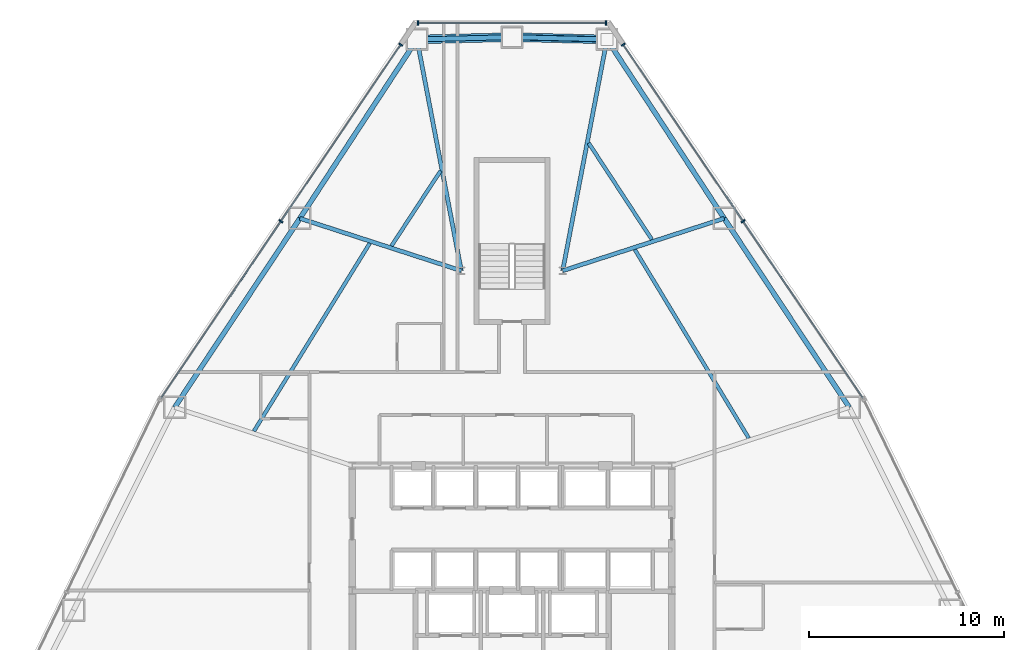
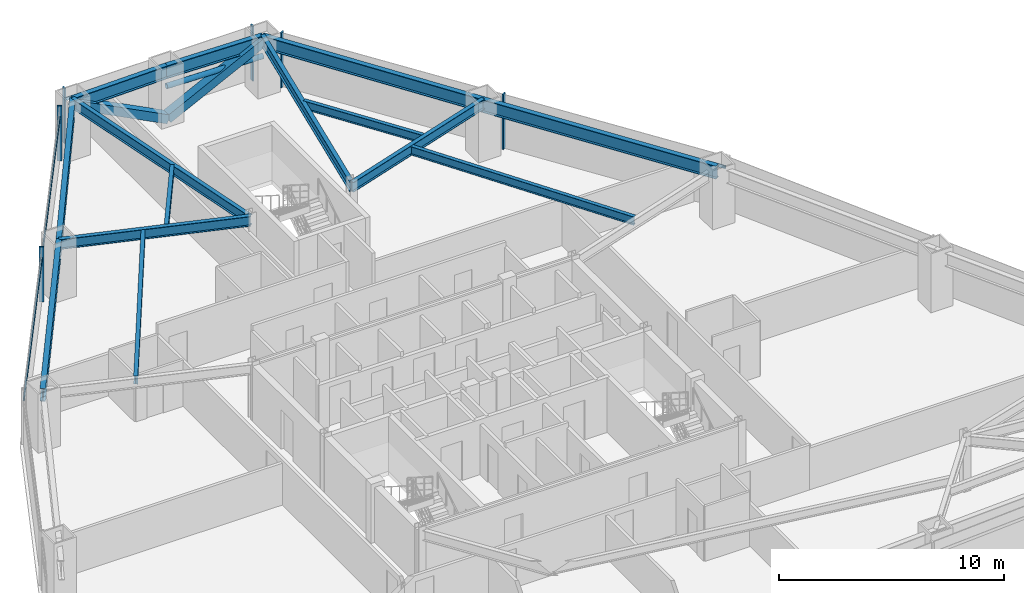
# One storey, part 7 of 12: 14 beams, 12 members, 3 elements without a shape of their own.
"""IFC4 building model written with IfcOpenShell, lengths in metres."""

from ifc_helpers import new_model, si_unit, direction, frame, origin, origin_2d, place, context, subcontext, project, spatial, rectangle, hollow_rectangle, hollow_circle, i_section, extrude, source, transform, mapped, material, layer, layer_set, material_profile, profile_set, type_object, type_shapes, element, aggregate, save


model = new_model("IFC4")

# Units and contexts
model_context = context("Model", 3, precision=1e-05, world=origin(), true_north=direction((0.0, 1.0)))
body_context = subcontext(model_context, "Body", "Model", "MODEL_VIEW")
ifc_project = project(units=[si_unit("LENGTHUNIT", "METRE"), si_unit("AREAUNIT", "SQUARE_METRE"), si_unit("VOLUMEUNIT", "CUBIC_METRE"), si_unit("PLANEANGLEUNIT", "RADIAN"), si_unit("MASSUNIT", "GRAM", prefix="KILO")], contexts=[model_context])

# Site, building, storey
site_placement = place(None, origin())
site = spatial("IfcSite", under=ifc_project, at=site_placement, CompositionType="ELEMENT")
building_placement = place(site_placement, origin())
building = spatial("IfcBuilding", under=site, at=building_placement, Name="Varakhsha Concourse Tower", CompositionType="ELEMENT")
storey_placement = place(building_placement, frame((0.0, 0.0, 56.0)))
storey = spatial("IfcBuildingStorey", under=building, at=storey_placement, Name="L15", CompositionType="ELEMENT", Elevation=56.0)

# Beams
ifc_material_1 = material(Name="Structural Steel ASTM A992 Grade 50", Category="steel")
ifc_material_profile_1 = material_profile(ifc_material_1, i_section(OverallWidth=0.19091796875, OverallDepth=0.45703125, WebThickness=0.009033203125, FlangeThickness=0.013916015625, at=origin_2d()), Name="W18X50")
ifc_profile_set_1 = profile_set([ifc_material_profile_1], Name="Structural Steel ASTM A992 Grade 50")
beam_type_1 = type_object("IfcBeamType", Name="BM-JST-W18X50", PredefinedType="JOIST", material=ifc_profile_set_1)
beam_1_placement = place(storey_placement, frame((36.339111328125, 46.32958984375, 2.75146484375), z_axis=(-0.547760334165, -0.836635294687, 0.0), x_axis=(0.836635294687, -0.547760334165, 0.0)))
element("IfcBeam", 1, at=beam_1_placement, inside=storey, type_object=beam_type_1, Name="BM-TJST-L15-03", PredefinedType="JOIST", context=body_context, shape_type="SweptSolid", body=[
    extrude(i_section(OverallWidth=0.19091796875, OverallDepth=0.45703125, WebThickness=0.009033203125, FlangeThickness=0.013916015625, at=origin_2d()), origin(), (0.0, 0.0, 1.0), 4.607666015625),
])
beam_2_placement = place(storey_placement, frame((32.703125, 42.611328125, 2.75146484375), z_axis=(-0.524765861285, -0.851246609878, 0.0), x_axis=(0.851246609878, -0.524765861285, 0.0)))
element("IfcBeam", 2, at=beam_2_placement, inside=storey, type_object=beam_type_1, Name="BM-TJST-L15-04", PredefinedType="JOIST", context=body_context, shape_type="SweptSolid", body=[
    extrude(i_section(OverallWidth=0.19091796875, OverallDepth=0.45703125, WebThickness=0.009033203125, FlangeThickness=0.013916015625, at=origin_2d()), origin(), (0.0, 0.0, 1.0), 11.32763671875),
])
beam_3_placement = place(storey_placement, frame((52.1494140625, 32.6103515625, 2.75146484375), z_axis=(-0.51713508233, 0.855903795192, 0.0), x_axis=(-0.855903795192, -0.51713508233, 0.0)))
element("IfcBeam", 3, at=beam_3_placement, inside=storey, type_object=beam_type_1, Name="BM-TJST-L15-17", PredefinedType="JOIST", context=body_context, shape_type="SweptSolid", body=[
    extrude(i_section(OverallWidth=0.19091796875, OverallDepth=0.45703125, WebThickness=0.009033203125, FlangeThickness=0.013916015625, at=origin_2d()), origin(), (0.0, 0.0, 1.0), 11.307373046875),
])
beam_4_placement = place(storey_placement, frame((47.1787109375, 42.797119140625, 2.75146484375), z_axis=(-0.547710053226, 0.836668212373, 0.0), x_axis=(-0.836668212373, -0.547710053226, 0.0)))
element("IfcBeam", 4, at=beam_4_placement, inside=storey, type_object=beam_type_1, Name="BM-TJST-L15-18", PredefinedType="JOIST", context=body_context, shape_type="SweptSolid", body=[
    extrude(i_section(OverallWidth=0.19091796875, OverallDepth=0.45703125, WebThickness=0.009033203125, FlangeThickness=0.013916015625, at=origin_2d()), origin(), (0.0, 0.0, 1.0), 5.92431640625),
])
ifc_material_profile_2 = material_profile(ifc_material_1, i_section(OverallWidth=0.2109375, OverallDepth=0.5390625, WebThickness=0.011962890625, FlangeThickness=0.01904296875, at=origin_2d()), Name="W21X73")
ifc_profile_set_2 = profile_set([ifc_material_profile_2], Name="Structural Steel ASTM A992 Grade 50")
beam_type_2 = type_object("IfcBeamType", Name="BM-RAD-W21X73", PredefinedType="BEAM", material=ifc_profile_set_2)
for number, where, z_axis, x_axis, name in (
    (5, (42.60009765625, 41.199951171875, 2.71044921875), (0.188222379663, 0.982126435747, 0.0), (-0.982126435747, 0.188222379663, 0.0), "L15 Radial Floor Girder 01"),
    (6, (37.39990234375, 41.199951171875, 2.71044921875), (-0.188222379663, 0.982126435747, 0.0), (-0.982126435747, -0.188222379663, 0.0), "L15 Radial Floor Girder 03"),
):
    element("IfcBeam", number, at=place(storey_placement, frame(where, z_axis=z_axis, x_axis=x_axis)), inside=storey, type_object=beam_type_2, Name=name, PredefinedType="BEAM", context=body_context, shape_type="SweptSolid", body=[
        extrude(i_section(OverallWidth=0.2109375, OverallDepth=0.5390625, WebThickness=0.011962890625, FlangeThickness=0.01904296875, at=origin_2d()), origin(), (0.0, 0.0, 1.0), 12.083740234375),
    ])
for number, where, z_axis, x_axis, name in (
    (7, (37.39990234375, 41.199951171875, 2.71044921875), (-0.951195245135, 0.308589704354, 0.0), (-0.308589704354, -0.951195245135, 0.0), "L15 Radial Floor Girder 04"),
    (8, (42.60009765625, 41.199951171875, 2.71044921875), (0.951195245135, 0.308589704354, 0.0), (-0.308589704354, 0.951195245135, 0.0), "L15 Radial Floor Girder 18"),
):
    element("IfcBeam", number, at=place(storey_placement, frame(where, z_axis=z_axis, x_axis=x_axis)), inside=storey, type_object=beam_type_2, Name=name, PredefinedType="BEAM", context=body_context, shape_type="SweptSolid", body=[
        extrude(i_section(OverallWidth=0.2109375, OverallDepth=0.5390625, WebThickness=0.011962890625, FlangeThickness=0.01904296875, at=origin_2d()), origin(), (0.0, 0.0, 1.0), 8.708984375),
    ])
ifc_material_profile_3 = material_profile(ifc_material_1, i_section(OverallWidth=0.25390625, OverallDepth=0.701904296875, WebThickness=0.014892578125, FlangeThickness=0.028076171875, at=origin_2d()), Name="W27X129")
ifc_profile_set_3 = profile_set([ifc_material_profile_3], Name="Structural Steel ASTM A992 Grade 50")
beam_type_3 = type_object("IfcBeamType", Name="BM-SPAN-W27X129", PredefinedType="SPANDREL", material=ifc_profile_set_3)
for number, where, z_axis, x_axis, name in (
    (9, (44.87451171875, 53.067626953125, 2.62890625), (-0.999707523102, 0.024184049567, 0.0), (-0.024184049567, -0.999707523102, 0.0), "BM-SPAN-L15-01"),
    (10, (40.0, 53.185546875, 2.62890625), (-0.999707523102, -0.024184049567, 0.0), (0.024184049567, -0.999707523102, 0.0), "BM-SPAN-L15-02"),
):
    element("IfcBeam", number, at=place(storey_placement, frame(where, z_axis=z_axis, x_axis=x_axis)), inside=storey, type_object=beam_type_3, Name=name, PredefinedType="SPANDREL", context=body_context, shape_type="SweptSolid", body=[
        extrude(i_section(OverallWidth=0.25390625, OverallDepth=0.701904296875, WebThickness=0.014892578125, FlangeThickness=0.028076171875, at=origin_2d()), origin(), (0.0, 0.0, 1.0), 4.8759765625),
    ])
beam_5_placement = place(storey_placement, frame((35.12548828125, 53.067626953125, 2.62890625), z_axis=(-0.547702506559, -0.836673152616, 0.0), x_axis=(0.836673152616, -0.547702506559, 0.0)))
element("IfcBeam", 11, at=beam_5_placement, inside=storey, type_object=beam_type_3, Name="BM-SPAN-L15-03", PredefinedType="SPANDREL", context=body_context, shape_type="SweptSolid", body=[
    extrude(i_section(OverallWidth=0.25390625, OverallDepth=0.701904296875, WebThickness=0.014892578125, FlangeThickness=0.028076171875, at=origin_2d()), origin(), (0.0, 0.0, 1.0), 10.97216796875),
])
for number, where, z_axis, x_axis, name in (
    (12, (29.115966796875, 43.887451171875, 2.62890625), (-0.552159070961, -0.833738784246, 0.0), (0.833738784246, -0.552159070961, 0.0), "BM-SPAN-L15-04"),
    (13, (57.305419921875, 34.19140625, 2.62890625), (-0.552159070961, 0.833738784246, 0.0), (-0.833738784246, -0.552159070961, 0.0), "BM-SPAN-L15-17"),
):
    element("IfcBeam", number, at=place(storey_placement, frame(where, z_axis=z_axis, x_axis=x_axis)), inside=storey, type_object=beam_type_3, Name=name, PredefinedType="SPANDREL", context=body_context, shape_type="SweptSolid", body=[
        extrude(i_section(OverallWidth=0.25390625, OverallDepth=0.701904296875, WebThickness=0.014892578125, FlangeThickness=0.028076171875, at=origin_2d()), origin(), (0.0, 0.0, 1.0), 11.629638671875),
    ])
beam_6_placement = place(storey_placement, frame((50.884033203125, 43.887451171875, 2.62890625), z_axis=(-0.547702506559, 0.836673152616, 0.0), x_axis=(-0.836673152616, -0.547702506559, 0.0)))
element("IfcBeam", 14, at=beam_6_placement, inside=storey, type_object=beam_type_3, Name="BM-SPAN-L15-18", PredefinedType="SPANDREL", context=body_context, shape_type="SweptSolid", body=[
    extrude(i_section(OverallWidth=0.25390625, OverallDepth=0.701904296875, WebThickness=0.014892578125, FlangeThickness=0.028076171875, at=origin_2d()), origin(), (0.0, 0.0, 1.0), 10.97216796875),
])

# Members
ifc_material_2 = material(Name="Structural Steel ASTM A500 Grade C", Category="steel")
ifc_material_profile_4 = material_profile(ifc_material_2, hollow_rectangle(XDim=0.449951171875, YDim=0.449951171875, WallThickness=0.01904296875, at=origin_2d()), Name="HSS 450x450x19")
ifc_profile_set_4 = profile_set([ifc_material_profile_4], Name="Structural Steel ASTM A500 Grade C")
member_type_1 = type_object("IfcMemberType", Name="MB-TUBE-HSS450", PredefinedType="BRACE", material=ifc_profile_set_4)
shared_shape_1 = source(origin(), body_context, "Body", "SweptSolid", [
    extrude(hollow_rectangle(XDim=0.449951171875, YDim=0.449951171875, WallThickness=0.01904296875, at=origin_2d()), origin(), (0.0, 0.0, 1.0), 5.507080078125),
])
type_shapes(member_type_1, [shared_shape_1])
for number, where, z_axis, x_axis, name in (
    (15, (40.0, 53.185546875, 0.1201171875), (0.885142896745, -0.02141260238, 0.464826368445), (0.024184049567, 0.999707523102, 0.0), "L15 Wind-Corner Tube Brace B01"),
    (16, (40.0, 53.185546875, 0.1201171875), (-0.885142896745, -0.02141260238, 0.464826368445), (0.024184049567, -0.999707523102, 0.0), "L15 Wind-Corner Tube Brace B02"),
):
    element("IfcMember", number, at=place(storey_placement, frame(where, z_axis=z_axis, x_axis=x_axis)), inside=storey, type_object=member_type_1, Name=name, PredefinedType="BRACE", context=body_context, shape_type="MappedRepresentation", body=[
        mapped(shared_shape_1, transform((0.0, 0.0, 0.0), scale=1.0)),
    ])
ifc_material_profile_5 = material_profile(ifc_material_2, hollow_circle(Radius=0.136474609375, WallThickness=0.011962890625, at=origin_2d()), Name="CHS 273x12")
ifc_profile_set_5 = profile_set([ifc_material_profile_5], Name="Structural Steel ASTM A500 Grade C")
member_type_2 = type_object("IfcMemberType", Name="MB-WIND-CHS273", PredefinedType="COLLAR", material=ifc_profile_set_5)
shared_shape_2 = source(origin(), body_context, "Body", "SweptSolid", [
    extrude(hollow_circle(Radius=0.136474609375, WallThickness=0.011962890625, at=origin_2d()), origin(), (0.0, 0.0, 1.0), 4.8759765625),
])
type_shapes(member_type_2, [shared_shape_2])
member_1_placement = place(storey_placement, frame((44.87451171875, 53.067626953125, 1.800048828125), z_axis=(-0.999707523102, 0.024184049567, 0.0), x_axis=(-0.024184049567, -0.999707523102, 0.0)))
element("IfcMember", 17, at=member_1_placement, inside=storey, type_object=member_type_2, Name="L15 Wind-Corner Collar Tie 1", PredefinedType="COLLAR", context=body_context, shape_type="MappedRepresentation", body=[
    mapped(shared_shape_2, transform((0.0, 0.0, 0.0), scale=1.0)),
])

# Curtain wall, members
ifc_material_3 = material(Name="Anodised Bronze Architectural Aluminium AA 6063-T6", Category="aluminium")
ifc_layer = layer(ifc_material_3, 0.219970703125, Name="CW-SYS-02")
ifc_layer_set = layer_set([ifc_layer], Name="Anodised Bronze Architectural Aluminium AA 6063-T6")
curtain_wall_type = type_object("IfcCurtainWallType", Name="CW-SYS-02", PredefinedType="NOTDEFINED", material=ifc_layer_set)
curtain_wall_1_placement = place(storey_placement, origin())
curtain_wall_1 = element("IfcCurtainWall", 18, at=curtain_wall_1_placement, inside=storey, type_object=curtain_wall_type, Name="L15 Chamfer Curtain Wall F1", PredefinedType="NOTDEFINED")
ifc_material_profile_6 = material_profile(ifc_material_3, rectangle(XDim=0.074951171875, YDim=0.219970703125, at=origin_2d()), Name="CWM-220X75")
ifc_profile_set_6 = profile_set([ifc_material_profile_6], Name="Anodised Bronze Architectural Aluminium AA 6063-T6")
member_type_3 = type_object("IfcMemberType", Name="CWM-220X75", PredefinedType="MULLION", material=ifc_profile_set_6)
shared_shape_3 = source(origin(), body_context, "Body", "SweptSolid", [
    extrude(rectangle(XDim=0.074951171875, YDim=0.219970703125, at=origin_2d()), origin(), (0.0, 0.0, 1.0), 2.97998046875),
])
type_shapes(member_type_3, [shared_shape_3])
member_2_placement = place(storey_placement, frame((35.177001953125, 53.905517578125, 0.0), z_axis=(0.0, 0.0, 1.0), x_axis=(1.0, 0.0, 0.0)))
member_2 = element("IfcMember", 19, at=member_2_placement, type_object=member_type_3, Name="CW-L15-F1 Mullion 00", PredefinedType="MULLION", context=body_context, shape_type="MappedRepresentation", body=[
    mapped(shared_shape_3, transform((0.0, 0.0, 0.0), scale=1.0)),
])
member_3_placement = place(storey_placement, frame((44.822998046875, 53.905517578125, 0.0), z_axis=(0.0, 0.0, 1.0), x_axis=(1.0, 0.0, 0.0)))
member_3 = element("IfcMember", 20, at=member_3_placement, type_object=member_type_3, Name="CW-L15-F1 Mullion 01", PredefinedType="MULLION", context=body_context, shape_type="MappedRepresentation", body=[
    mapped(shared_shape_3, transform((0.0, 0.0, 0.0), scale=1.0)),
])

curtain_wall_2_placement = place(storey_placement, origin())
curtain_wall_2 = element("IfcCurtainWall", 21, at=curtain_wall_2_placement, inside=storey, type_object=curtain_wall_type, Name="L15 Crystal Curtain Wall F2", PredefinedType="NOTDEFINED")
member_4_placement = place(storey_placement, frame((28.143798828125, 43.737060546875, 0.0), z_axis=(0.0, 0.0, 1.0), x_axis=(0.561391731634, 0.827550194038, 0.0)))
member_4 = element("IfcMember", 22, at=member_4_placement, type_object=member_type_3, Name="CW-L15-F2 Mullion 01", PredefinedType="MULLION", context=body_context, shape_type="MappedRepresentation", body=[
    mapped(shared_shape_3, transform((0.0, 0.0, 0.0), scale=1.0)),
])
member_5_placement = place(storey_placement, frame((34.292236328125, 52.800537109375, 0.0), z_axis=(0.0, 0.0, 1.0), x_axis=(0.561391731634, 0.827550194038, 0.0)))
member_5 = element("IfcMember", 23, at=member_5_placement, type_object=member_type_3, Name="CW-L15-F2 Mullion 02", PredefinedType="MULLION", context=body_context, shape_type="MappedRepresentation", body=[
    mapped(shared_shape_3, transform((0.0, 0.0, 0.0), scale=1.0)),
])

curtain_wall_3_placement = place(storey_placement, origin())
curtain_wall_3 = element("IfcCurtainWall", 24, at=curtain_wall_3_placement, inside=storey, type_object=curtain_wall_type, Name="L15 Crystal Curtain Wall F9", PredefinedType="NOTDEFINED")
member_6_placement = place(storey_placement, frame((45.707763671875, 52.800537109375, 0.0), z_axis=(0.0, 0.0, 1.0), x_axis=(0.561391731634, -0.827550194038, 0.0)))
member_6 = element("IfcMember", 25, at=member_6_placement, type_object=member_type_3, Name="CW-L15-F9 Mullion 00", PredefinedType="MULLION", context=body_context, shape_type="MappedRepresentation", body=[
    mapped(shared_shape_3, transform((0.0, 0.0, 0.0), scale=1.0)),
])
member_7_placement = place(storey_placement, frame((51.856201171875, 43.737060546875, 0.0), z_axis=(0.0, 0.0, 1.0), x_axis=(0.561391731634, -0.827550194038, 0.0)))
member_7 = element("IfcMember", 26, at=member_7_placement, type_object=member_type_3, Name="CW-L15-F9 Mullion 01", PredefinedType="MULLION", context=body_context, shape_type="MappedRepresentation", body=[
    mapped(shared_shape_3, transform((0.0, 0.0, 0.0), scale=1.0)),
])

# Member
ifc_material_profile_7 = material_profile(ifc_material_3, rectangle(XDim=0.06494140625, YDim=0.159912109375, at=origin_2d()), Name="CWT-160X65")
ifc_profile_set_7 = profile_set([ifc_material_profile_7], Name="Anodised Bronze Architectural Aluminium AA 6063-T6")
member_type_4 = type_object("IfcMemberType", Name="CWT-160X65", PredefinedType="USERDEFINED", material=ifc_profile_set_7)
shared_shape_4 = source(origin(), body_context, "Body", "SweptSolid", [
    extrude(rectangle(XDim=0.06494140625, YDim=0.159912109375, at=origin_2d()), origin(), (0.0, 0.0, 1.0), 9.64599609375),
])
member_8_placement = place(storey_placement, frame((35.177001953125, 53.905517578125, 2.330078125), z_axis=(1.0, 0.0, 0.0), x_axis=(0.0, 1.0, 0.0)))
member_8 = element("IfcMember", 27, at=member_8_placement, type_object=member_type_4, Name="CW-L15-F1 Transom 01", ObjectType="TRANSOM", PredefinedType="USERDEFINED", context=body_context, shape_type="MappedRepresentation", body=[
    mapped(shared_shape_4, transform((0.0, 0.0, 0.0), scale=1.0)),
])

aggregate(curtain_wall_1, [member_2, member_3, member_8])

shared_shape_5 = source(origin(), body_context, "Body", "SweptSolid", [
    extrude(rectangle(XDim=0.06494140625, YDim=0.159912109375, at=origin_2d()), origin(), (0.0, 0.0, 1.0), 21.904296875),
])
type_shapes(member_type_4, [shared_shape_4, shared_shape_5])
member_9_placement = place(storey_placement, frame((21.99560546875, 34.673583984375, 2.330078125), z_axis=(0.561382575492, 0.827556405288, 0.0), x_axis=(-0.827556405288, 0.561382575492, 0.0)))
member_9 = element("IfcMember", 28, at=member_9_placement, type_object=member_type_4, Name="CW-L15-F2 Transom 01", ObjectType="TRANSOM", PredefinedType="USERDEFINED", context=body_context, shape_type="MappedRepresentation", body=[
    mapped(shared_shape_5, transform((0.0, 0.0, 0.0), scale=1.0)),
])

aggregate(curtain_wall_2, [member_4, member_5, member_9])

member_10_placement = place(storey_placement, frame((45.707763671875, 52.800537109375, 2.330078125), z_axis=(0.561382575492, -0.827556405288, 0.0), x_axis=(0.827556405288, 0.561382575492, 0.0)))
member_10 = element("IfcMember", 29, at=member_10_placement, type_object=member_type_4, Name="CW-L15-F9 Transom 01", ObjectType="TRANSOM", PredefinedType="USERDEFINED", context=body_context, shape_type="MappedRepresentation", body=[
    mapped(shared_shape_5, transform((0.0, 0.0, 0.0), scale=1.0)),
])

aggregate(curtain_wall_3, [member_6, member_7, member_10])

save(model, "model.ifc")
